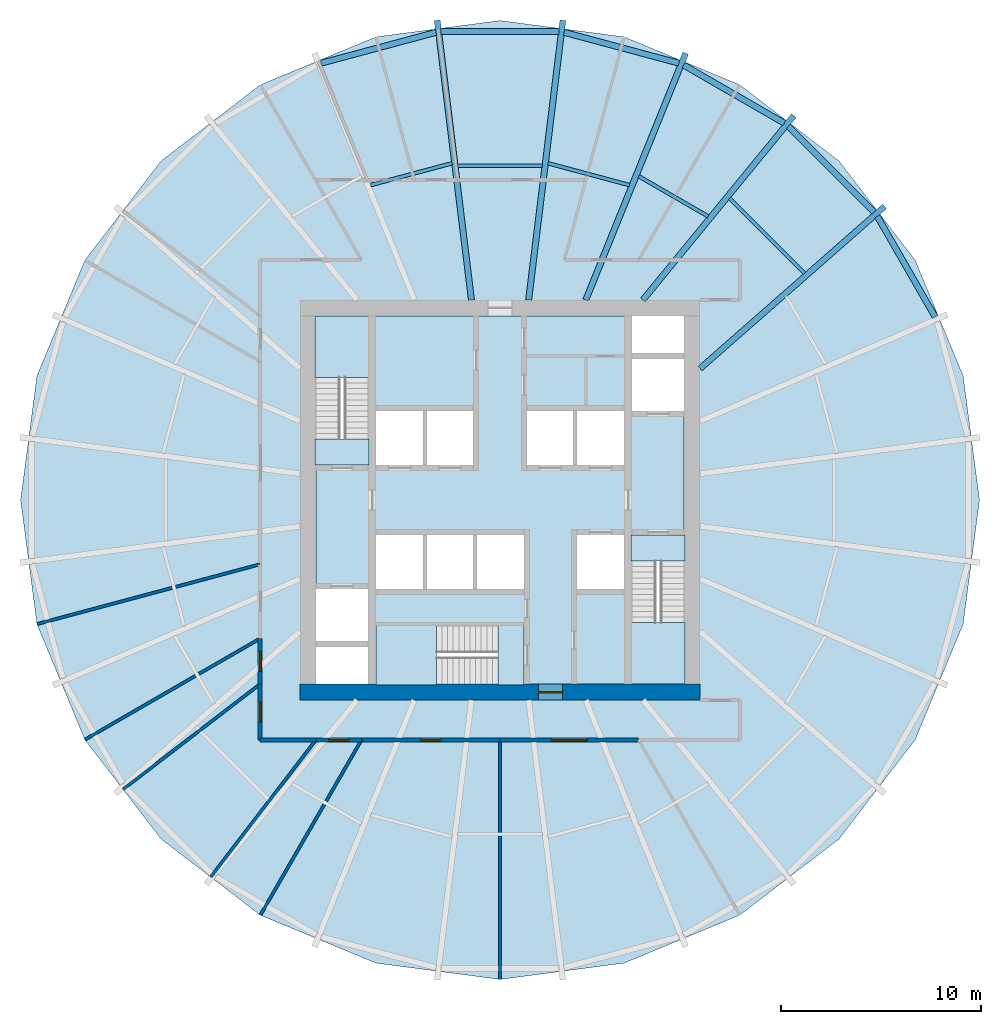
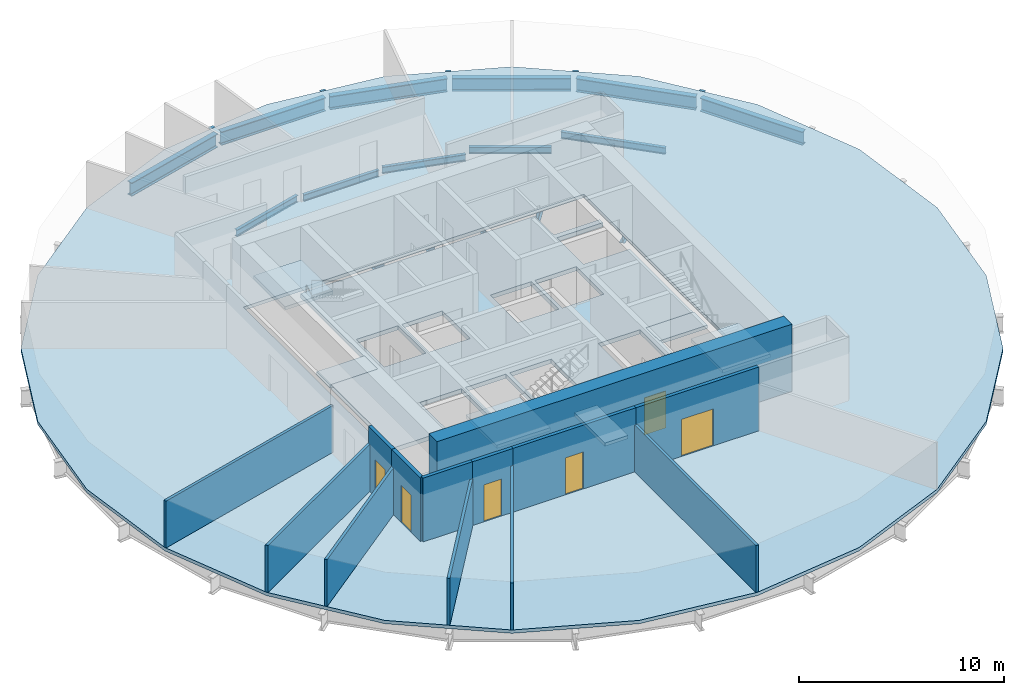
# One storey, part 2 of 6: 16 beams, 13 walls, 8 slabs, 6 doors, 6 openings, 3 elements without a shape of their own.
"""IFC4 building model written with IfcOpenShell, lengths in metres."""

from ifc_helpers import new_model, si_unit, direction, frame, frame_2d, origin, origin_2d, place, context, subcontext, project, spatial, polyline, rectangle, i_section, outline, extrude, material, layer, layer_set, material_profile, profile_set, type_object, element, fill, aggregate, save


model = new_model("IFC4")

# Units and contexts
model_context = context("Model", 3, precision=1e-05, world=origin(), true_north=direction((0.0, 1.0)))
body_context = subcontext(model_context, "Body", "Model", "MODEL_VIEW")
ifc_project = project(units=[si_unit("LENGTHUNIT", "METRE"), si_unit("AREAUNIT", "SQUARE_METRE"), si_unit("VOLUMEUNIT", "CUBIC_METRE"), si_unit("PLANEANGLEUNIT", "RADIAN"), si_unit("MASSUNIT", "GRAM", prefix="KILO")], contexts=[model_context])

# Site, building, storey
site_placement = place(None, origin())
site = spatial("IfcSite", under=ifc_project, at=site_placement, CompositionType="ELEMENT")
building_placement = place(site_placement, origin())
building = spatial("IfcBuilding", under=site, at=building_placement, Name="Golbaran Civic Tower", CompositionType="ELEMENT")
storey_placement = place(building_placement, frame((0.0, 0.0, 77.0)))
storey = spatial("IfcBuildingStorey", under=building, at=storey_placement, Name="L18", CompositionType="ELEMENT", Elevation=77.0)

# Beams
ifc_material_1 = material(Name="Steel S355", Category="steel")
ifc_material_profile_1 = material_profile(ifc_material_1, i_section(OverallWidth=0.300048828125, OverallDepth=0.800048828125, WebThickness=0.017578125, FlangeThickness=0.032958984375, FilletRadius=0.030029296875, at=origin_2d()), Name="HEB 800")
ifc_profile_set_1 = profile_set([ifc_material_profile_1], Name="Steel S355")
beam_type_1 = type_object("IfcBeamType", Name="EDGE BEAM HEB 800", PredefinedType="BEAM", material=ifc_profile_set_1)
beam_1_placement = place(storey_placement, frame((21.753173828125, 9.154296875, -0.60009765625), z_axis=(-0.498205289317, 0.867059103923, 0.0), x_axis=(-0.867059103923, -0.498205289317, 0.0)))
element("IfcBeam", 1, at=beam_1_placement, inside=storey, type_object=beam_type_1, Name="Edge beam 22.55 L18", PredefinedType="BEAM", context=body_context, shape_type="SweptSolid", body=[
    extrude(i_section(OverallWidth=0.300048828125, OverallDepth=0.800048828125, WebThickness=0.017578125, FlangeThickness=0.032958984375, FilletRadius=0.030029296875, at=origin_2d()), origin(), (0.0, 0.0, 1.0), 5.798095703125),
])
beam_2_placement = place(storey_placement, frame((18.706298828125, 14.388671875, -0.60009765625), z_axis=(-0.706462346153, 0.707750629437, 0.0), x_axis=(-0.707750629437, -0.706462346153, 0.0)))
element("IfcBeam", 2, at=beam_2_placement, inside=storey, type_object=beam_type_1, Name="Edge beam 37.45 L18", PredefinedType="BEAM", context=body_context, shape_type="SweptSolid", body=[
    extrude(i_section(OverallWidth=0.300048828125, OverallDepth=0.800048828125, WebThickness=0.017578125, FlangeThickness=0.032958984375, FilletRadius=0.030029296875, at=origin_2d()), origin(), (0.0, 0.0, 1.0), 6.064208984375),
])
beam_3_placement = place(storey_placement, frame((14.215576171875, 18.8388671875, -0.60009765625), z_axis=(-0.86632400409, 0.499482452082, 0.0), x_axis=(-0.499482452082, -0.86632400409, 0.0)))
element("IfcBeam", 3, at=beam_3_placement, inside=storey, type_object=beam_type_1, Name="Edge beam 52.55 L18", PredefinedType="BEAM", context=body_context, shape_type="SweptSolid", body=[
    extrude(i_section(OverallWidth=0.300048828125, OverallDepth=0.800048828125, WebThickness=0.017578125, FlangeThickness=0.032958984375, FilletRadius=0.030029296875, at=origin_2d()), origin(), (0.0, 0.0, 1.0), 5.812744140625),
])
beam_4_placement = place(storey_placement, frame((8.939697265625, 21.841796875, -0.60009765625), z_axis=(-0.965820515757, 0.259211750008, 0.0), x_axis=(-0.259211750008, -0.965820515757, 0.0)))
element("IfcBeam", 4, at=beam_4_placement, inside=storey, type_object=beam_type_1, Name="Edge beam 67.45 L18", PredefinedType="BEAM", context=body_context, shape_type="SweptSolid", body=[
    extrude(i_section(OverallWidth=0.300048828125, OverallDepth=0.800048828125, WebThickness=0.017578125, FlangeThickness=0.032958984375, FilletRadius=0.030029296875, at=origin_2d()), origin(), (0.0, 0.0, 1.0), 5.943115234375),
])
beam_5_placement = place(storey_placement, frame((2.94189453125, 23.41650390625, -0.60009765625), z_axis=(-1.0, 0.0, 0.0), x_axis=(0.0, -1.0, 0.0)))
element("IfcBeam", 5, at=beam_5_placement, inside=storey, type_object=beam_type_1, Name="Edge beam 82.55 L18", PredefinedType="BEAM", context=body_context, shape_type="SweptSolid", body=[
    extrude(i_section(OverallWidth=0.300048828125, OverallDepth=0.800048828125, WebThickness=0.017578125, FlangeThickness=0.032958984375, FilletRadius=0.030029296875, at=origin_2d()), origin(), (0.0, 0.0, 1.0), 5.8837890625),
])
beam_6_placement = place(storey_placement, frame((-3.19970703125, 23.38232421875, -0.60009765625), z_axis=(-0.965820515757, -0.259211750008, 0.0), x_axis=(0.259211750008, -0.965820515757, 0.0)))
element("IfcBeam", 6, at=beam_6_placement, inside=storey, type_object=beam_type_1, Name="Edge beam 97.45 L18", PredefinedType="BEAM", context=body_context, shape_type="SweptSolid", body=[
    extrude(i_section(OverallWidth=0.300048828125, OverallDepth=0.800048828125, WebThickness=0.017578125, FlangeThickness=0.032958984375, FilletRadius=0.030029296875, at=origin_2d()), origin(), (0.0, 0.0, 1.0), 5.943115234375),
])
ifc_material_profile_2 = material_profile(ifc_material_1, i_section(OverallWidth=0.179931640625, OverallDepth=0.39990234375, WebThickness=0.008544921875, FlangeThickness=0.013427734375, FilletRadius=0.02099609375, at=origin_2d()), Name="IPE 400")
ifc_profile_set_2 = profile_set([ifc_material_profile_2], Name="Steel S355")
beam_type_2 = type_object("IfcBeamType", Name="FLOOR INFILL BEAM IPE 400", PredefinedType="BEAM", material=ifc_profile_set_2)
beam_7_placement = place(storey_placement, frame((15.220947265625, 11.32861328125, -0.39990234375), z_axis=(-0.707106781187, 0.707106781187, 0.0), x_axis=(-0.707106781187, -0.707106781187, 0.0)))
element("IfcBeam", 7, at=beam_7_placement, inside=storey, type_object=beam_type_2, Name="Infill beam 45.00 L18", PredefinedType="BEAM", context=body_context, shape_type="SweptSolid", body=[
    extrude(i_section(OverallWidth=0.179931640625, OverallDepth=0.39990234375, WebThickness=0.008544921875, FlangeThickness=0.013427734375, FilletRadius=0.02099609375, at=origin_2d()), origin(), (0.0, 0.0, 1.0), 5.302978515625),
])
beam_8_placement = place(storey_placement, frame((10.40185546875, 14.183349609375, -0.39990234375), z_axis=(-0.866030383119, 0.499991375441, 0.0), x_axis=(-0.499991375441, -0.866030383119, 0.0)))
element("IfcBeam", 8, at=beam_8_placement, inside=storey, type_object=beam_type_2, Name="Infill beam 60.00 L18", PredefinedType="BEAM", context=body_context, shape_type="SweptSolid", body=[
    extrude(i_section(OverallWidth=0.179931640625, OverallDepth=0.39990234375, WebThickness=0.008544921875, FlangeThickness=0.013427734375, FilletRadius=0.02099609375, at=origin_2d()), origin(), (0.0, 0.0, 1.0), 4.0078125),
])
beam_9_placement = place(storey_placement, frame((6.47119140625, 15.744384765625, -0.39990234375), z_axis=(-0.965929707006, 0.258804561636, 0.0), x_axis=(-0.258804561636, -0.965929707006, 0.0)))
element("IfcBeam", 9, at=beam_9_placement, inside=storey, type_object=beam_type_2, Name="Infill beam 75.00 L18", PredefinedType="BEAM", context=body_context, shape_type="SweptSolid", body=[
    extrude(i_section(OverallWidth=0.179931640625, OverallDepth=0.39990234375, WebThickness=0.008544921875, FlangeThickness=0.013427734375, FilletRadius=0.02099609375, at=origin_2d()), origin(), (0.0, 0.0, 1.0), 4.2177734375),
])
beam_10_placement = place(storey_placement, frame((2.11962890625, 16.708251953125, -0.39990234375), z_axis=(-1.0, 0.0, 0.0), x_axis=(0.0, -1.0, 0.0)))
element("IfcBeam", 10, at=beam_10_placement, inside=storey, type_object=beam_type_2, Name="Infill beam 90.00 L18", PredefinedType="BEAM", context=body_context, shape_type="SweptSolid", body=[
    extrude(i_section(OverallWidth=0.179931640625, OverallDepth=0.39990234375, WebThickness=0.008544921875, FlangeThickness=0.013427734375, FilletRadius=0.02099609375, at=origin_2d()), origin(), (0.0, 0.0, 1.0), 4.2392578125),
])
beam_11_placement = place(storey_placement, frame((-2.397216796875, 16.8359375, -0.39990234375), z_axis=(-0.965929707006, -0.258804561636, 0.0), x_axis=(0.258804561636, -0.965929707006, 0.0)))
element("IfcBeam", 11, at=beam_11_placement, inside=storey, type_object=beam_type_2, Name="Infill beam 105.00 L18", PredefinedType="BEAM", context=body_context, shape_type="SweptSolid", body=[
    extrude(i_section(OverallWidth=0.179931640625, OverallDepth=0.39990234375, WebThickness=0.008544921875, FlangeThickness=0.013427734375, FilletRadius=0.02099609375, at=origin_2d()), origin(), (0.0, 0.0, 1.0), 4.2177734375),
])
ifc_material_profile_3 = material_profile(ifc_material_1, i_section(OverallWidth=0.300048828125, OverallDepth=1.0, WebThickness=0.01904296875, FlangeThickness=0.035888671875, FilletRadius=0.030029296875, at=origin_2d()), Name="HEB 1000")
ifc_profile_set_3 = profile_set([ifc_material_profile_3], Name="Steel S355")
beam_type_3 = type_object("IfcBeamType", Name="RADIAL FLOOR BEAM HEB 1000", PredefinedType="BEAM", material=ifc_profile_set_3)
beam_12_placement = place(storey_placement, frame((10.0, 6.571533203125, -0.7099609375), z_axis=(0.751462341664, 0.659775983998, 0.0), x_axis=(-0.659775983998, 0.751462341664, 0.0)))
element("IfcBeam", 12, at=beam_12_placement, inside=storey, type_object=beam_type_3, Name="Radial beam 37.45 L18", PredefinedType="BEAM", context=body_context, shape_type="SweptSolid", body=[
    extrude(i_section(OverallWidth=0.300048828125, OverallDepth=1.0, WebThickness=0.01904296875, FlangeThickness=0.035888671875, FilletRadius=0.030029296875, at=origin_2d()), origin(), (0.0, 0.0, 1.0), 12.28076171875),
])
beam_13_placement = place(storey_placement, frame((7.142822265625, 10.0, -0.7099609375), z_axis=(0.633716500035, 0.77356538029, 0.0), x_axis=(-0.77356538029, 0.633716500035, 0.0)))
element("IfcBeam", 13, at=beam_13_placement, inside=storey, type_object=beam_type_3, Name="Radial beam 52.55 L18", PredefinedType="BEAM", context=body_context, shape_type="SweptSolid", body=[
    extrude(i_section(OverallWidth=0.300048828125, OverallDepth=1.0, WebThickness=0.01904296875, FlangeThickness=0.035888671875, FilletRadius=0.030029296875, at=origin_2d()), origin(), (0.0, 0.0, 1.0), 11.9111328125),
])
beam_14_placement = place(storey_placement, frame((4.28564453125, 10.0, -0.7099609375), z_axis=(0.375277952017, 0.926912325266, 0.0), x_axis=(-0.926912325266, 0.375277952017, 0.0)))
element("IfcBeam", 14, at=beam_14_placement, inside=storey, type_object=beam_type_3, Name="Radial beam 67.45 L18", PredefinedType="BEAM", context=body_context, shape_type="SweptSolid", body=[
    extrude(i_section(OverallWidth=0.300048828125, OverallDepth=1.0, WebThickness=0.01904296875, FlangeThickness=0.035888671875, FilletRadius=0.030029296875, at=origin_2d()), origin(), (0.0, 0.0, 1.0), 13.307861328125),
])
for number, where, z_axis, x_axis, name in (
    (15, (1.428466796875, 10.0, -0.7099609375), (0.121642954477, 0.9925739225, 0.0), (-0.9925739225, 0.121642954477, 0.0), "Radial beam 82.55 L18"),
    (16, (-1.428466796875, 10.0, -0.7099609375), (-0.121642954477, 0.9925739225, 0.0), (-0.9925739225, -0.121642954477, 0.0), "Radial beam 97.45 L18"),
):
    element("IfcBeam", number, at=place(storey_placement, frame(where, z_axis=z_axis, x_axis=x_axis)), inside=storey, type_object=beam_type_3, Name=name, PredefinedType="BEAM", context=body_context, shape_type="SweptSolid", body=[
        extrude(i_section(OverallWidth=0.300048828125, OverallDepth=1.0, WebThickness=0.01904296875, FlangeThickness=0.035888671875, FilletRadius=0.030029296875, at=origin_2d()), origin(), (0.0, 0.0, 1.0), 14.085205078125),
    ])

# Slabs
ifc_material_2 = material(Name="Concrete LC30/33 lightweight on steel deck", Category="concrete")
ifc_layer_1 = layer(ifc_material_2, 0.199951171875, Name="Concrete LC30/33 lightweight on steel deck")
ifc_layer_set_1 = layer_set([ifc_layer_1], Name="Concrete LC30/33 lightweight on steel deck")
slab_type_1 = type_object("IfcSlabType", Name="COMPOSITE FLOOR SLAB 200", PredefinedType="FLOOR", material=ifc_layer_set_1)
slab_1_placement = place(storey_placement, frame((0.0, 0.0, -0.199951171875)))
element("IfcSlab", 17, at=slab_1_placement, inside=storey, type_object=slab_type_1, Name="Floor slab L18", PredefinedType="FLOOR", context=body_context, shape_type="SweptSolid", body=[
    extrude(outline(polyline([(20.7607421875, -11.986083984375), (16.950927734375, -16.950927734375), (11.986083984375, -20.7607421875), (6.20458984375, -23.155517578125), (0.0, -23.972412109375), (-6.20458984375, -23.155517578125), (-11.986083984375, -20.7607421875), (-16.950927734375, -16.950927734375), (-20.7607421875, -11.986083984375), (-23.155517578125, -6.20458984375), (-23.972412109375, 0.0), (-23.155517578125, 6.20458984375), (-20.7607421875, 11.986083984375), (-16.950927734375, 16.950927734375), (-11.986083984375, 20.7607421875), (-6.20458984375, 23.155517578125), (0.0, 23.972412109375), (6.20458984375, 23.155517578125), (11.986083984375, 20.7607421875), (16.950927734375, 16.950927734375), (20.7607421875, 11.986083984375), (23.155517578125, 6.20458984375), (23.972412109375, 0.0), (23.155517578125, -6.20458984375), (20.7607421875, -11.986083984375)]), holes=[polyline([(-9.60009765625, 9.60009765625), (-9.60009765625, -9.60009765625), (9.60009765625, -9.60009765625), (9.60009765625, 9.60009765625), (-9.60009765625, 9.60009765625)])]), origin(), (0.0, 0.0, 1.0), 0.199951171875),
])
ifc_material_3 = material(Name="Concrete C35/45", Category="concrete")
ifc_layer_2 = layer(ifc_material_3, 0.25, Name="Concrete C35/45")
ifc_layer_set_2 = layer_set([ifc_layer_2], Name="Concrete C35/45")
slab_type_2 = type_object("IfcSlabType", Name="CORE FLOOR SLAB 250", PredefinedType="FLOOR", material=ifc_layer_set_2)
slab_2_placement = place(storey_placement, frame((0.0, 0.0, -0.25)))
element("IfcSlab", 18, at=slab_2_placement, inside=storey, type_object=slab_type_2, Name="Core floor slab L18", PredefinedType="FLOOR", context=body_context, shape_type="SweptSolid", body=[
    extrude(outline(polyline([(6.60009765625, -1.75), (6.60009765625, -9.199951171875), (1.199951171875, -9.199951171875), (1.199951171875, -6.300048828125), (-6.199951171875, -6.300048828125), (-6.199951171875, -9.199951171875), (-6.60009765625, -9.199951171875), (-6.60009765625, -7.35009765625), (-9.199951171875, -7.35009765625), (-9.199951171875, -7.050048828125), (-6.60009765625, -7.050048828125), (-6.60009765625, -4.449951171875), (-9.199951171875, -4.449951171875), (-9.199951171875, 1.75), (-6.60009765625, 1.75), (-6.60009765625, 9.199951171875), (6.60009765625, 9.199951171875), (6.60009765625, 7.35009765625), (9.199951171875, 7.35009765625), (9.199951171875, 7.050048828125), (6.60009765625, 7.050048828125), (6.60009765625, 4.449951171875), (9.199951171875, 4.449951171875), (9.199951171875, -1.75), (6.60009765625, -1.75)]), holes=[polyline([(6.199951171875, -1.75), (3.85009765625, -1.75), (3.85009765625, -4.449951171875), (6.199951171875, -4.449951171875), (6.199951171875, -1.75)]), polyline([(6.199951171875, 4.449951171875), (3.85009765625, 4.449951171875), (3.85009765625, 1.75), (6.199951171875, 1.75), (6.199951171875, 4.449951171875)]), polyline([(3.64990234375, 4.449951171875), (1.35009765625, 4.449951171875), (1.35009765625, 1.75), (3.64990234375, 1.75), (3.64990234375, 4.449951171875)]), polyline([(1.199951171875, -1.75), (-1.14990234375, -1.75), (-1.14990234375, -4.449951171875), (1.199951171875, -4.449951171875), (1.199951171875, -1.75)]), polyline([(-1.35009765625, 4.449951171875), (-3.64990234375, 4.449951171875), (-3.64990234375, 1.75), (-1.35009765625, 1.75), (-1.35009765625, 4.449951171875)]), polyline([(-1.35009765625, -1.75), (-3.64990234375, -1.75), (-3.64990234375, -4.449951171875), (-1.35009765625, -4.449951171875), (-1.35009765625, -1.75)]), polyline([(-3.85009765625, -1.75), (-6.199951171875, -1.75), (-6.199951171875, -4.449951171875), (-3.85009765625, -4.449951171875), (-3.85009765625, -1.75)]), polyline([(-3.85009765625, 4.449951171875), (-6.199951171875, 4.449951171875), (-6.199951171875, 1.75), (-3.85009765625, 1.75), (-3.85009765625, 4.449951171875)])]), origin(), (0.0, 0.0, 1.0), 0.25),
])

# Stair, slab
stair_type_1 = type_object("IfcStairType", Name="EXIT STAIR 2600 x 7450, 4000 RISE", PredefinedType="HALF_TURN_STAIR", material=ifc_material_3)
stair_1_placement = place(storey_placement, origin())
stair_1 = element("IfcStair", 19, at=stair_1_placement, inside=storey, type_object=stair_type_1, Name="Stair S1 L18", PredefinedType="HALF_TURN_STAIR")
ifc_layer_3 = layer(ifc_material_3, 0.199951171875, Name="Concrete C35/45")
ifc_layer_set_3 = layer_set([ifc_layer_3], Name="Concrete C35/45")
slab_type_3 = type_object("IfcSlabType", Name="STAIR LANDING 200", PredefinedType="LANDING", material=ifc_layer_set_3)
slab_3_placement = place(storey_placement, frame((0.0, 0.0, 1.800048828125)))
slab_3 = element("IfcSlab", 20, at=slab_3_placement, type_object=slab_type_3, Name="ST26074-40 landing 1", PredefinedType="LANDING", context=body_context, shape_type="SweptSolid", body=[
    extrude(outline(polyline([(-9.25, 6.125), (-9.25, 9.199951171875), (-6.550048828125, 9.199951171875), (-6.550048828125, 6.125), (-9.25, 6.125)])), origin(), (0.0, 0.0, 1.0), 0.199951171875),
])
aggregate(stair_1, [slab_3])

# Slab
slab_4_placement = place(storey_placement, frame((0.0, 0.0, -0.199951171875)))
element("IfcSlab", 21, at=slab_4_placement, inside=storey, type_object=slab_type_3, Name="Stair S1 floor landing L18", PredefinedType="LANDING", context=body_context, shape_type="SweptSolid", body=[
    extrude(outline(polyline([(-9.25, 1.75), (-9.25, 3.054931640625), (-6.550048828125, 3.054931640625), (-6.550048828125, 1.75), (-9.25, 1.75)])), origin(), (0.0, 0.0, 1.0), 0.199951171875),
])

# Stair, slab
stair_2_placement = place(storey_placement, origin())
stair_2 = element("IfcStair", 22, at=stair_2_placement, inside=storey, type_object=stair_type_1, Name="Stair S2 L18", PredefinedType="HALF_TURN_STAIR")
slab_5_placement = place(storey_placement, frame((0.0, 0.0, 1.800048828125)))
slab_5 = element("IfcSlab", 23, at=slab_5_placement, type_object=slab_type_3, Name="ST26074-40 landing 1", PredefinedType="LANDING", context=body_context, shape_type="SweptSolid", body=[
    extrude(outline(polyline([(9.25, -6.125), (9.25, -9.199951171875), (6.550048828125, -9.199951171875), (6.550048828125, -6.125), (9.25, -6.125)])), origin(), (0.0, 0.0, 1.0), 0.199951171875),
])
aggregate(stair_2, [slab_5])

# Slab
slab_6_placement = place(storey_placement, frame((0.0, 0.0, -0.199951171875)))
element("IfcSlab", 24, at=slab_6_placement, inside=storey, type_object=slab_type_3, Name="Stair S2 floor landing L18", PredefinedType="LANDING", context=body_context, shape_type="SweptSolid", body=[
    extrude(outline(polyline([(9.25, -1.75), (9.25, -3.054931640625), (6.550048828125, -3.054931640625), (6.550048828125, -1.75), (9.25, -1.75)])), origin(), (0.0, 0.0, 1.0), 0.199951171875),
])

# Stair, slab
stair_type_2 = type_object("IfcStairType", Name="EXIT STAIR 2900 x 7400, 4000 RISE", PredefinedType="HALF_TURN_STAIR", material=ifc_material_3)
stair_3_placement = place(storey_placement, origin())
stair_3 = element("IfcStair", 25, at=stair_3_placement, inside=storey, type_object=stair_type_2, Name="Stair S3 L18", PredefinedType="HALF_TURN_STAIR")
slab_7_placement = place(storey_placement, frame((0.0, 0.0, 1.800048828125)))
slab_7 = element("IfcSlab", 26, at=slab_7_placement, type_object=slab_type_3, Name="ST29074-40 landing 1", PredefinedType="LANDING", context=body_context, shape_type="SweptSolid", body=[
    extrude(outline(polyline([(-3.175048828125, -9.25), (-6.199951171875, -9.25), (-6.199951171875, -6.25), (-3.175048828125, -6.25), (-3.175048828125, -9.25)])), origin(), (0.0, 0.0, 1.0), 0.199951171875),
])
aggregate(stair_3, [slab_7])

# Slab
slab_8_placement = place(storey_placement, frame((0.0, 0.0, -0.199951171875)))
element("IfcSlab", 27, at=slab_8_placement, inside=storey, type_object=slab_type_3, Name="Stair S3 floor landing L18", PredefinedType="LANDING", context=body_context, shape_type="SweptSolid", body=[
    extrude(outline(polyline([(1.199951171875, -9.25), (-0.10498046875, -9.25), (-0.10498046875, -6.25), (1.199951171875, -6.25), (1.199951171875, -9.25)])), origin(), (0.0, 0.0, 1.0), 0.199951171875),
])

# Wall, opening, door
ifc_material_4 = material(Name="Concrete C50/60", Category="concrete")
ifc_layer_4 = layer(ifc_material_4, 0.800048828125, Name="Concrete C50/60")
ifc_layer_set_4 = layer_set([ifc_layer_4], Name="Concrete C50/60")
wall_type_1 = type_object("IfcWallType", Name="CORE WALL CONCRETE 800", PredefinedType="SOLIDWALL", material=ifc_layer_set_4)
wall_1_placement = place(storey_placement, frame((10.0, -9.60009765625, 0.0), z_axis=(0.0, 0.0, 1.0), x_axis=(-1.0, 0.0, 0.0)))
wall_1 = element("IfcWall", 28, at=wall_1_placement, inside=storey, type_object=wall_type_1, Name="Core wall CS L18", PredefinedType="SOLIDWALL", context=body_context, shape_type="SweptSolid", body=[
    extrude(rectangle(XDim=20.0, YDim=0.800048828125, at=frame_2d((10.0, 0.0))), origin(), (0.0, 0.0, 1.0), 4.0),
])
opening_1_placement = place(wall_1_placement, frame((6.875, 0.0, 0.0)))
opening_1 = element("IfcOpeningElement", 29, at=opening_1_placement, cuts=wall_1, Name="Opening L18.CS", PredefinedType="OPENING", context=body_context, shape_type="SweptSolid", body=[
    extrude(rectangle(XDim=1.199951171875, YDim=2.199951171875, at=frame_2d((0.60009765625, 1.10009765625))), frame((0.0, 0.409912109375, 0.0), z_axis=(0.0, -1.0, 0.0), x_axis=(1.0, 0.0, 0.0)), (0.0, 0.0, 1.0), 0.820068359375),
])
ifc_material_5 = material(Name="Timber door set in steel frame", Category="steel")
door_type_1 = type_object("IfcDoorType", Name="CORE DOOR 1200x2200", OperationType="DOUBLE_DOOR_SINGLE_SWING", PredefinedType="DOOR", material=ifc_material_5)
door_1_placement = place(opening_1_placement, origin())
door_1 = element("IfcDoor", 30, at=door_1_placement, inside=storey, type_object=door_type_1, Name="Core door south", OperationType="DOUBLE_DOOR_SINGLE_SWING", OverallHeight=2.199951171875, OverallWidth=1.199951171875, PredefinedType="DOOR", context=body_context, shape_type="SweptSolid", body=[
    extrude(rectangle(XDim=1.199951171875, YDim=2.199951171875, at=frame_2d((0.60009765625, 1.10009765625))), frame((0.0, 0.02490234375, 0.0), z_axis=(0.0, -1.0, 0.0), x_axis=(1.0, 0.0, 0.0)), (0.0, 0.0, 1.0), 0.050048828125),
])
fill(opening_1, door_1)

ifc_material_6 = material(Name="Gypsum board on steel studs, fire-rated", Category="steel")
ifc_layer_5 = layer(ifc_material_6, 0.199951171875, Name="Gypsum board on steel studs, fire-rated")
ifc_layer_set_5 = layer_set([ifc_layer_5], Name="Gypsum board on steel studs, fire-rated")
wall_type_2 = type_object("IfcWallType", Name="CORRIDOR WALL 200", PredefinedType="PARTITIONING", material=ifc_layer_set_5)
wall_2_placement = place(storey_placement, frame((-12.0, -6.92822265625, 0.0), z_axis=(0.0, 0.0, 1.0), x_axis=(0.0, -1.0, 0.0)))
wall_2 = element("IfcWall", 31, at=wall_2_placement, inside=storey, type_object=wall_type_2, Name="Corridor wall L18", PredefinedType="PARTITIONING", context=body_context, shape_type="SweptSolid", body=[
    extrude(rectangle(XDim=2.27978515625, YDim=0.199951171875, at=frame_2d((1.139892578125, 0.0))), origin(), (0.0, 0.0, 1.0), 3.800048828125),
])
opening_2_placement = place(wall_2_placement, frame((0.639892578125, 0.0, 0.0)))
opening_2 = element("IfcOpeningElement", 32, at=opening_2_placement, cuts=wall_2, Name="Opening L18.10", PredefinedType="OPENING", context=body_context, shape_type="SweptSolid", body=[
    extrude(rectangle(XDim=1.0, YDim=2.199951171875, at=frame_2d((0.5, 1.10009765625))), frame((0.0, 0.10986328125, 0.0), z_axis=(0.0, -1.0, 0.0), x_axis=(1.0, 0.0, 0.0)), (0.0, 0.0, 1.0), 0.219970703125),
])
door_type_2 = type_object("IfcDoorType", Name="OFFICE DOOR 1000x2200", OperationType="SINGLE_SWING_LEFT", PredefinedType="DOOR", material=ifc_material_5)
door_2_placement = place(opening_2_placement, origin())
door_2 = element("IfcDoor", 33, at=door_2_placement, inside=storey, type_object=door_type_2, Name="Print and Copy Room door L18", OperationType="SINGLE_SWING_RIGHT", OverallHeight=2.199951171875, OverallWidth=1.0, PredefinedType="DOOR", context=body_context, shape_type="SweptSolid", body=[
    extrude(rectangle(XDim=1.0, YDim=2.199951171875, at=frame_2d((0.5, 1.10009765625))), frame((0.0, 0.02490234375, 0.0), z_axis=(0.0, -1.0, 0.0), x_axis=(1.0, 0.0, 0.0)), (0.0, 0.0, 1.0), 0.050048828125),
])
fill(opening_2, door_2)

wall_3_placement = place(storey_placement, frame((-12.0, -9.2080078125, 0.0), z_axis=(0.0, 0.0, 1.0), x_axis=(0.0, -1.0, 0.0)))
wall_3 = element("IfcWall", 34, at=wall_3_placement, inside=storey, type_object=wall_type_2, Name="Corridor wall L18", PredefinedType="PARTITIONING", context=body_context, shape_type="SweptSolid", body=[
    extrude(rectangle(XDim=2.7919921875, YDim=0.199951171875, at=frame_2d((1.39599609375, 0.0))), origin(), (0.0, 0.0, 1.0), 3.800048828125),
])
opening_3_placement = place(wall_3_placement, frame((0.89599609375, 0.0, 0.0)))
opening_3 = element("IfcOpeningElement", 35, at=opening_3_placement, cuts=wall_3, Name="Opening L18.11", PredefinedType="OPENING", context=body_context, shape_type="SweptSolid", body=[
    extrude(rectangle(XDim=1.0, YDim=2.199951171875, at=frame_2d((0.5, 1.10009765625))), frame((0.0, 0.10986328125, 0.0), z_axis=(0.0, -1.0, 0.0), x_axis=(1.0, 0.0, 0.0)), (0.0, 0.0, 1.0), 0.219970703125),
])
door_3_placement = place(opening_3_placement, origin())
door_3 = element("IfcDoor", 36, at=door_3_placement, inside=storey, type_object=door_type_2, Name="Quiet Room door L18", OperationType="SINGLE_SWING_RIGHT", OverallHeight=2.199951171875, OverallWidth=1.0, PredefinedType="DOOR", context=body_context, shape_type="SweptSolid", body=[
    extrude(rectangle(XDim=1.0, YDim=2.199951171875, at=frame_2d((0.5, 1.10009765625))), frame((0.0, 0.02490234375, 0.0), z_axis=(0.0, -1.0, 0.0), x_axis=(1.0, 0.0, 0.0)), (0.0, 0.0, 1.0), 0.050048828125),
])
fill(opening_3, door_3)

# Wall
wall_4_placement = place(storey_placement, frame((-12.0, -12.0, 0.0), z_axis=(0.0, 0.0, 1.0), x_axis=(1.0, 0.0, 0.0)))
element("IfcWall", 37, at=wall_4_placement, inside=storey, type_object=wall_type_2, Name="Corridor wall L18", PredefinedType="PARTITIONING", context=body_context, shape_type="SweptSolid", body=[
    extrude(rectangle(XDim=2.7919921875, YDim=0.199951171875, at=frame_2d((1.39599609375, 0.0))), origin(), (0.0, 0.0, 1.0), 3.800048828125),
])

# Wall, opening, door
wall_5_placement = place(storey_placement, frame((-9.2080078125, -12.0, 0.0), z_axis=(0.0, 0.0, 1.0), x_axis=(1.0, 0.0, 0.0)))
wall_5 = element("IfcWall", 38, at=wall_5_placement, inside=storey, type_object=wall_type_2, Name="Corridor wall L18", PredefinedType="PARTITIONING", context=body_context, shape_type="SweptSolid", body=[
    extrude(rectangle(XDim=2.27978515625, YDim=0.199951171875, at=frame_2d((1.139892578125, 0.0))), origin(), (0.0, 0.0, 1.0), 3.800048828125),
])
opening_4_placement = place(wall_5_placement, frame((0.639892578125, 0.0, 0.0)))
opening_4 = element("IfcOpeningElement", 39, at=opening_4_placement, cuts=wall_5, Name="Opening L18.12", PredefinedType="OPENING", context=body_context, shape_type="SweptSolid", body=[
    extrude(rectangle(XDim=1.0, YDim=2.199951171875, at=frame_2d((0.5, 1.10009765625))), frame((0.0, 0.10986328125, 0.0), z_axis=(0.0, -1.0, 0.0), x_axis=(1.0, 0.0, 0.0)), (0.0, 0.0, 1.0), 0.219970703125),
])
door_4_placement = place(opening_4_placement, origin())
door_4 = element("IfcDoor", 40, at=door_4_placement, inside=storey, type_object=door_type_2, Name="Store door L18", OperationType="SINGLE_SWING_LEFT", OverallHeight=2.199951171875, OverallWidth=1.0, PredefinedType="DOOR", context=body_context, shape_type="SweptSolid", body=[
    extrude(rectangle(XDim=1.0, YDim=2.199951171875, at=frame_2d((0.5, 1.10009765625))), frame((0.0, 0.02490234375, 0.0), z_axis=(0.0, -1.0, 0.0), x_axis=(1.0, 0.0, 0.0)), (0.0, 0.0, 1.0), 0.050048828125),
])
fill(opening_4, door_4)

wall_6_placement = place(storey_placement, frame((-6.92822265625, -12.0, 0.0), z_axis=(0.0, 0.0, 1.0), x_axis=(1.0, 0.0, 0.0)))
wall_6 = element("IfcWall", 41, at=wall_6_placement, inside=storey, type_object=wall_type_2, Name="Corridor wall L18", PredefinedType="PARTITIONING", context=body_context, shape_type="SweptSolid", body=[
    extrude(rectangle(XDim=6.92822265625, YDim=0.199951171875, at=frame_2d((3.464111328125, 0.0))), origin(), (0.0, 0.0, 1.0), 3.800048828125),
])
opening_5_placement = place(wall_6_placement, frame((2.964111328125, 0.0, 0.0)))
opening_5 = element("IfcOpeningElement", 42, at=opening_5_placement, cuts=wall_6, Name="Opening L18.13", PredefinedType="OPENING", context=body_context, shape_type="SweptSolid", body=[
    extrude(rectangle(XDim=1.0, YDim=2.199951171875, at=frame_2d((0.5, 1.10009765625))), frame((0.0, 0.10986328125, 0.0), z_axis=(0.0, -1.0, 0.0), x_axis=(1.0, 0.0, 0.0)), (0.0, 0.0, 1.0), 0.219970703125),
])
door_5_placement = place(opening_5_placement, origin())
door_5 = element("IfcDoor", 43, at=door_5_placement, inside=storey, type_object=door_type_2, Name="Interview Room door L18", OperationType="SINGLE_SWING_LEFT", OverallHeight=2.199951171875, OverallWidth=1.0, PredefinedType="DOOR", context=body_context, shape_type="SweptSolid", body=[
    extrude(rectangle(XDim=1.0, YDim=2.199951171875, at=frame_2d((0.5, 1.10009765625))), frame((0.0, 0.02490234375, 0.0), z_axis=(0.0, -1.0, 0.0), x_axis=(1.0, 0.0, 0.0)), (0.0, 0.0, 1.0), 0.050048828125),
])
fill(opening_5, door_5)

wall_7_placement = place(storey_placement, frame((0.0, -12.0, 0.0), z_axis=(0.0, 0.0, 1.0), x_axis=(1.0, 0.0, 0.0)))
wall_7 = element("IfcWall", 44, at=wall_7_placement, inside=storey, type_object=wall_type_2, Name="Corridor wall L18", PredefinedType="PARTITIONING", context=body_context, shape_type="SweptSolid", body=[
    extrude(rectangle(XDim=6.92822265625, YDim=0.199951171875, at=frame_2d((3.464111328125, 0.0))), origin(), (0.0, 0.0, 1.0), 3.800048828125),
])
opening_6_placement = place(wall_7_placement, frame((2.564208984375, 0.0, 0.0)))
opening_6 = element("IfcOpeningElement", 45, at=opening_6_placement, cuts=wall_7, Name="Opening L18.14", PredefinedType="OPENING", context=body_context, shape_type="SweptSolid", body=[
    extrude(rectangle(XDim=1.800048828125, YDim=2.199951171875, at=frame_2d((0.89990234375, 1.10009765625))), frame((0.0, 0.10986328125, 0.0), z_axis=(0.0, -1.0, 0.0), x_axis=(1.0, 0.0, 0.0)), (0.0, 0.0, 1.0), 0.219970703125),
])
door_type_3 = type_object("IfcDoorType", Name="OFFICE DOUBLE DOOR 1800x2200", OperationType="DOUBLE_DOOR_SINGLE_SWING", PredefinedType="DOOR", material=ifc_material_5)
door_6_placement = place(opening_6_placement, origin())
door_6 = element("IfcDoor", 46, at=door_6_placement, inside=storey, type_object=door_type_3, Name="Open Office door L18", OperationType="DOUBLE_DOOR_SINGLE_SWING", OverallHeight=2.199951171875, OverallWidth=1.800048828125, PredefinedType="DOOR", context=body_context, shape_type="SweptSolid", body=[
    extrude(rectangle(XDim=1.800048828125, YDim=2.199951171875, at=frame_2d((0.89990234375, 1.10009765625))), frame((0.0, 0.02490234375, 0.0), z_axis=(0.0, -1.0, 0.0), x_axis=(1.0, 0.0, 0.0)), (0.0, 0.0, 1.0), 0.050048828125),
])
fill(opening_6, door_6)

# Walls
ifc_material_7 = material(Name="Gypsum board on steel studs", Category="steel")
ifc_layer_6 = layer(ifc_material_7, 0.14990234375, Name="Gypsum board on steel studs")
ifc_layer_set_6 = layer_set([ifc_layer_6], Name="Gypsum board on steel studs")
wall_type_3 = type_object("IfcWallType", Name="OFFICE PARTITION 150", PredefinedType="PARTITIONING", material=ifc_layer_set_6)
wall_8_placement = place(storey_placement, frame((-12.0, -3.21533203125, 0.0), z_axis=(0.0, 0.0, 1.0), x_axis=(-0.96592415734, -0.258825273624, 0.0)))
element("IfcWall", 47, at=wall_8_placement, inside=storey, type_object=wall_type_3, Name="Partition 195 L18", PredefinedType="PARTITIONING", context=body_context, shape_type="SweptSolid", body=[
    extrude(rectangle(XDim=11.5390625, YDim=0.14990234375, at=frame_2d((5.76953125, 0.0))), origin(), (0.0, 0.0, 1.0), 2.7900390625),
])
wall_9_placement = place(storey_placement, frame((-12.0, -6.92822265625, 0.0), z_axis=(0.0, 0.0, 1.0), x_axis=(-0.866023860286, -0.500002673408, 0.0)))
element("IfcWall", 48, at=wall_9_placement, inside=storey, type_object=wall_type_3, Name="Partition 210 L18", PredefinedType="PARTITIONING", context=body_context, shape_type="SweptSolid", body=[
    extrude(rectangle(XDim=10.10595703125, YDim=0.14990234375, at=frame_2d((5.052978515625, 0.0))), origin(), (0.0, 0.0, 1.0), 2.7900390625),
])
for number, where, z_axis, x_axis, name in (
    (49, (-12.0, -9.2080078125, 0.0), (0.0, 0.0, 1.0), (-0.793363649613, -0.608747993403, 0.0), "Partition 217.5 L18"),
    (50, (-9.2080078125, -12.0, 0.0), (0.0, 0.0, 1.0), (-0.608747993403, -0.793363649613, 0.0), "Partition 232.5 L18"),
):
    element("IfcWall", number, at=place(storey_placement, frame(where, z_axis=z_axis, x_axis=x_axis)), inside=storey, type_object=wall_type_3, Name=name, PredefinedType="PARTITIONING", context=body_context, shape_type="SweptSolid", body=[
        extrude(rectangle(XDim=8.631591796875, YDim=0.14990234375, at=frame_2d((4.31591796875, 0.0))), origin(), (0.0, 0.0, 1.0), 2.7900390625),
    ])
wall_10_placement = place(storey_placement, frame((-6.92822265625, -12.0, 0.0), z_axis=(0.0, 0.0, 1.0), x_axis=(-0.500002673408, -0.866023860286, 0.0)))
element("IfcWall", 51, at=wall_10_placement, inside=storey, type_object=wall_type_3, Name="Partition 240 L18", PredefinedType="PARTITIONING", context=body_context, shape_type="SweptSolid", body=[
    extrude(rectangle(XDim=10.10595703125, YDim=0.14990234375, at=frame_2d((5.052978515625, 0.0))), origin(), (0.0, 0.0, 1.0), 2.7900390625),
])
wall_11_placement = place(storey_placement, frame((0.0, -12.0, 0.0), z_axis=(0.0, 0.0, 1.0), x_axis=(0.0, -1.0, 0.0)))
element("IfcWall", 52, at=wall_11_placement, inside=storey, type_object=wall_type_3, Name="Partition 270 L18", PredefinedType="PARTITIONING", context=body_context, shape_type="SweptSolid", body=[
    extrude(rectangle(XDim=11.962158203125, YDim=0.14990234375, at=frame_2d((5.98095703125, 0.0))), origin(), (0.0, 0.0, 1.0), 2.7900390625),
])

save(model, "model.ifc")
